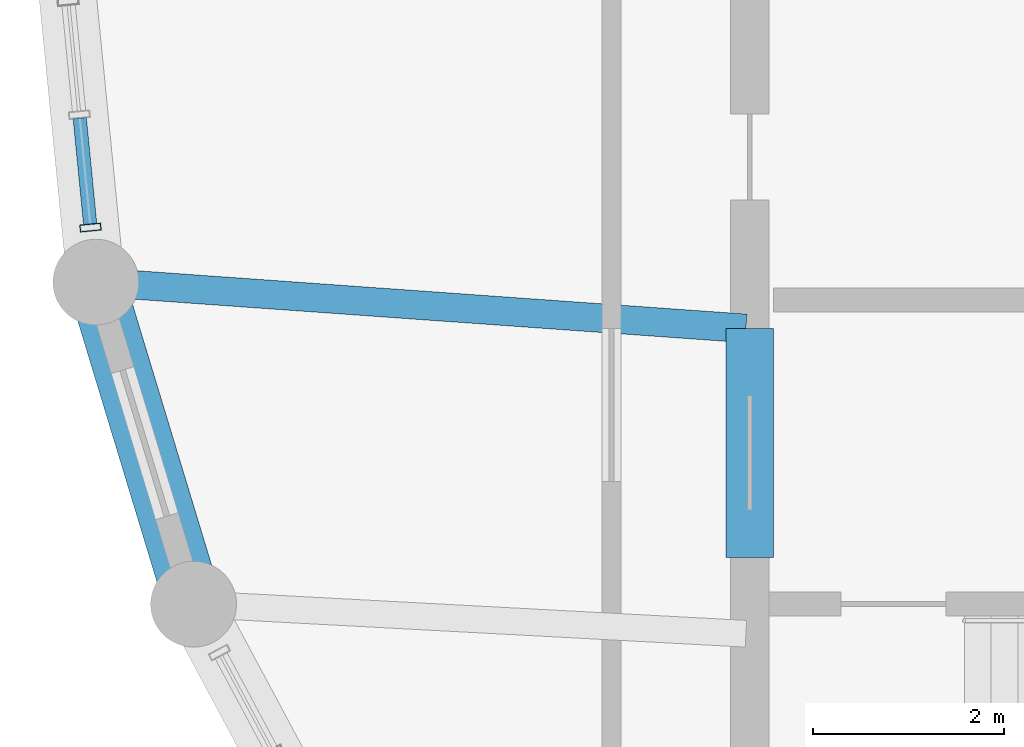
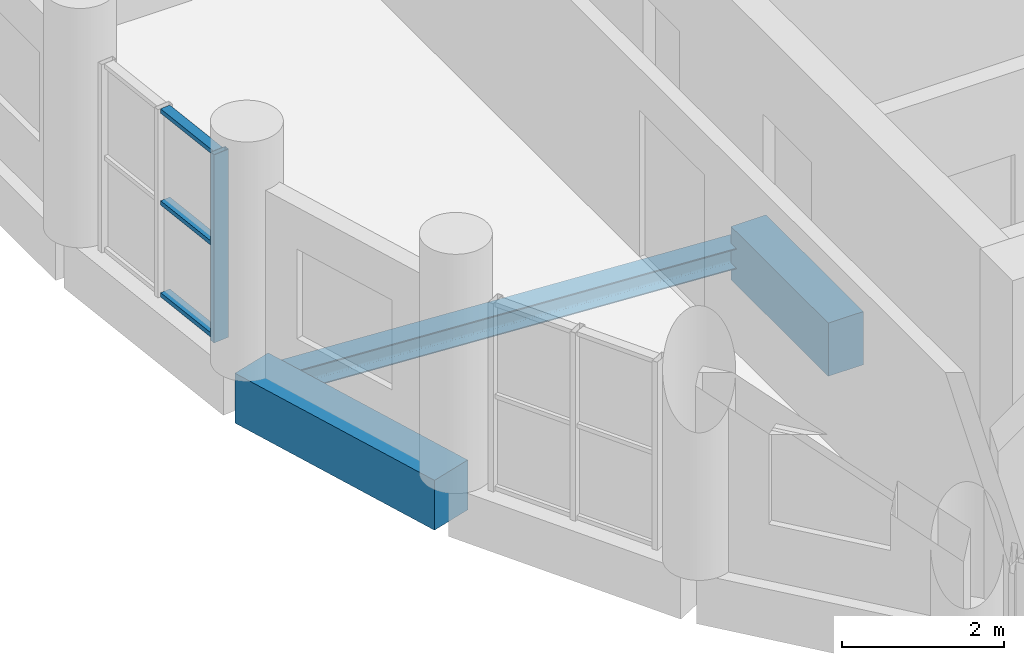
# One storey, part 3 of 11: 4 members, 3 beams, 1 element without a shape of its own.
"""IFC4 building model written with IfcOpenShell, lengths in metres."""

from ifc_helpers import new_model, si_unit, direction, frame, origin, origin_2d, place, context, subcontext, project, spatial, rectangle, hollow_rectangle, i_section, extrude, material, layer, layer_set, material_profile, profile_set, type_object, element, aggregate, save


model = new_model("IFC4")

# Units and contexts
model_context = context("Model", 3, precision=1e-05, world=origin(), true_north=direction((0.0, 1.0)))
body_context = subcontext(model_context, "Body", "Model", "MODEL_VIEW")
ifc_project = project(units=[si_unit("LENGTHUNIT", "METRE"), si_unit("AREAUNIT", "SQUARE_METRE"), si_unit("VOLUMEUNIT", "CUBIC_METRE"), si_unit("PLANEANGLEUNIT", "RADIAN"), si_unit("MASSUNIT", "GRAM", prefix="KILO")], contexts=[model_context])

# Site, building, storey
site_placement = place(None, origin())
site = spatial("IfcSite", under=ifc_project, at=site_placement, CompositionType="ELEMENT")
building_placement = place(site_placement, origin())
building = spatial("IfcBuilding", under=site, at=building_placement, Name="Solnavia Interchange Tower", CompositionType="ELEMENT")
storey_placement = place(building_placement, frame((0.0, 0.0, 284.60009765625)))
storey = spatial("IfcBuildingStorey", under=building, at=storey_placement, Name="L72", CompositionType="ELEMENT", Elevation=284.60009765625)

# Beams
ifc_material_1 = material(Name="Concrete C50/60", Category="concrete")
ifc_material_profile_1 = material_profile(ifc_material_1, rectangle(XDim=0.5, YDim=0.800048828125, at=origin_2d()), Name="RC 500x800")
ifc_profile_set_1 = profile_set([ifc_material_profile_1], Name="Concrete C50/60")
beam_type_1 = type_object("IfcBeamType", Name="Beam-Coupling-RC500x800", PredefinedType="LINTEL", material=ifc_profile_set_1)
beam_1_placement = place(storey_placement, frame((14.39990234375, 15.199951171875, -0.400146484375), z_axis=(0.0, 1.0, 0.0), x_axis=(-1.0, 0.0, 0.0)))
element("IfcBeam", 1, at=beam_1_placement, inside=storey, type_object=beam_type_1, Name="CPB-L72-W1 Core coupling lintel beam", PredefinedType="LINTEL", context=body_context, shape_type="SweptSolid", body=[
    extrude(rectangle(XDim=0.5, YDim=0.800048828125, at=origin_2d()), origin(), (0.0, 0.0, 1.0), 2.400146484375),
])
ifc_material_2 = material(Name="Steel S355", Category="steel")
ifc_material_profile_2 = material_profile(ifc_material_2, i_section(OverallWidth=0.300048828125, OverallDepth=0.31005859375, WebThickness=0.009033203125, FlangeThickness=0.015380859375, FilletRadius=0.027099609375, at=origin_2d()), Name="HEA 320")
ifc_profile_set_2 = profile_set([ifc_material_profile_2], Name="Steel S355")
beam_type_2 = type_object("IfcBeamType", Name="Beam-Primary-HEA320", PredefinedType="BEAM", material=ifc_profile_set_2)
beam_2_placement = place(storey_placement, frame((7.625732421875, 18.082275390625, -0.405029296875), z_axis=(0.99747482749, -0.071020902015, 0.0), x_axis=(0.071020902015, 0.99747482749, 0.0)))
element("IfcBeam", 2, at=beam_2_placement, inside=storey, type_object=beam_type_2, Name="GRD-L72-DR05 Drum radial floor girder", PredefinedType="BEAM", context=body_context, shape_type="SweptSolid", body=[
    extrude(i_section(OverallWidth=0.300048828125, OverallDepth=0.31005859375, WebThickness=0.009033203125, FlangeThickness=0.015380859375, FilletRadius=0.027099609375, at=origin_2d()), origin(), (0.0, 0.0, 1.0), 6.75146484375),
])
ifc_material_profile_3 = material_profile(ifc_material_1, rectangle(XDim=0.60009765625, YDim=0.75, at=origin_2d()), Name="RC 600x750")
ifc_profile_set_3 = profile_set([ifc_material_profile_3], Name="Concrete C50/60")
beam_type_3 = type_object("IfcBeamType", Name="Beam-Spandrel-RC600x750", PredefinedType="SPANDREL", material=ifc_profile_set_3)
beam_3_placement = place(storey_placement, frame((7.569091796875, 18.011474609375, -0.375), z_axis=(0.290319223646, -0.956929855518, 0.0), x_axis=(0.956929855518, 0.290319223646, 0.0)))
element("IfcBeam", 3, at=beam_3_placement, inside=storey, type_object=beam_type_3, Name="SPB-L72-02 Framed-tube perimeter spandrel beam", PredefinedType="SPANDREL", context=body_context, shape_type="SweptSolid", body=[
    extrude(rectangle(XDim=0.60009765625, YDim=0.75, at=origin_2d()), origin(), (0.0, 0.0, 1.0), 3.367919921875),
])

# Curtain wall, members
ifc_material_3 = material(Name="Aluminium Alloy 6063-T6", Category="aluminium")
ifc_layer = layer(ifc_material_3, 0.239990234375)
ifc_layer_set = layer_set([ifc_layer], Name="Aluminium Alloy 6063-T6")
curtain_wall_type = type_object("IfcCurtainWallType", Name="CurtainWall-Drum-CTW2", PredefinedType="NOTDEFINED", material=ifc_layer_set)
curtain_wall_placement = place(storey_placement, origin())
curtain_wall = element("IfcCurtainWall", 4, at=curtain_wall_placement, inside=storey, type_object=curtain_wall_type, Name="CTW-L72-D41 CTW-2 curtain wall", PredefinedType="NOTDEFINED")
ifc_material_profile_4 = material_profile(ifc_material_3, hollow_rectangle(XDim=0.074951171875, YDim=0.219970703125, WallThickness=0.0048828125, at=origin_2d()), Name="ALU 220x75x5")
ifc_profile_set_4 = profile_set([ifc_material_profile_4], Name="Aluminium Alloy 6063-T6")
member_type_1 = type_object("IfcMemberType", Name="CW-Mullion-CWM-2", PredefinedType="MULLION", material=ifc_profile_set_4)
member_1_placement = place(storey_placement, frame((7.489501953125, 18.66015625, 0.0), z_axis=(0.0, 0.0, 1.0), x_axis=(0.098043088306, -0.995182170678, 0.0)))
member_1 = element("IfcMember", 5, at=member_1_placement, type_object=member_type_1, Name="CTW-2 mullion 3", PredefinedType="MULLION", context=body_context, shape_type="SweptSolid", body=[
    extrude(hollow_rectangle(XDim=0.074951171875, YDim=0.219970703125, WallThickness=0.0048828125, at=origin_2d()), origin(), (0.0, 0.0, 1.0), 2.829833984375),
])
ifc_material_profile_5 = material_profile(ifc_material_3, hollow_rectangle(XDim=0.06494140625, YDim=0.139892578125, WallThickness=0.00390625, at=origin_2d()), Name="ALU 140x65x4")
ifc_profile_set_5 = profile_set([ifc_material_profile_5], Name="Aluminium Alloy 6063-T6")
member_type_2 = type_object("IfcMemberType", Name="CW-Transom-CWT-2", PredefinedType="USERDEFINED", material=ifc_profile_set_5)
member_2_placement = place(storey_placement, frame((7.376708984375, 19.806640625, 0.032470703125), z_axis=(0.097920280653, -0.995194261758, 0.0), x_axis=(0.0, 0.0, 1.0)))
member_2 = element("IfcMember", 6, at=member_2_placement, type_object=member_type_2, Name="CTW-2 transom 2.1", ObjectType="TRANSOM", PredefinedType="USERDEFINED", context=body_context, shape_type="SweptSolid", body=[
    extrude(hollow_rectangle(XDim=0.06494140625, YDim=0.139892578125, WallThickness=0.00390625, at=origin_2d()), origin(), (0.0, 0.0, 1.0), 1.114501953125),
])
member_3_placement = place(storey_placement, frame((7.376708984375, 19.806640625, 1.414794921875), z_axis=(0.097920280653, -0.995194261758, 0.0), x_axis=(0.0, 0.0, 1.0)))
member_3 = element("IfcMember", 7, at=member_3_placement, type_object=member_type_2, Name="CTW-2 transom 2.2", ObjectType="TRANSOM", PredefinedType="USERDEFINED", context=body_context, shape_type="SweptSolid", body=[
    extrude(hollow_rectangle(XDim=0.06494140625, YDim=0.139892578125, WallThickness=0.00390625, at=origin_2d()), origin(), (0.0, 0.0, 1.0), 1.114501953125),
])
member_4_placement = place(storey_placement, frame((7.376708984375, 19.806640625, 2.79736328125), z_axis=(0.097920280653, -0.995194261758, 0.0), x_axis=(0.0, 0.0, 1.0)))
member_4 = element("IfcMember", 8, at=member_4_placement, type_object=member_type_2, Name="CTW-2 transom 2.3", ObjectType="TRANSOM", PredefinedType="USERDEFINED", context=body_context, shape_type="SweptSolid", body=[
    extrude(hollow_rectangle(XDim=0.06494140625, YDim=0.139892578125, WallThickness=0.00390625, at=origin_2d()), origin(), (0.0, 0.0, 1.0), 1.114501953125),
])
aggregate(curtain_wall, [member_1, member_2, member_3, member_4])

save(model, "model.ifc")
